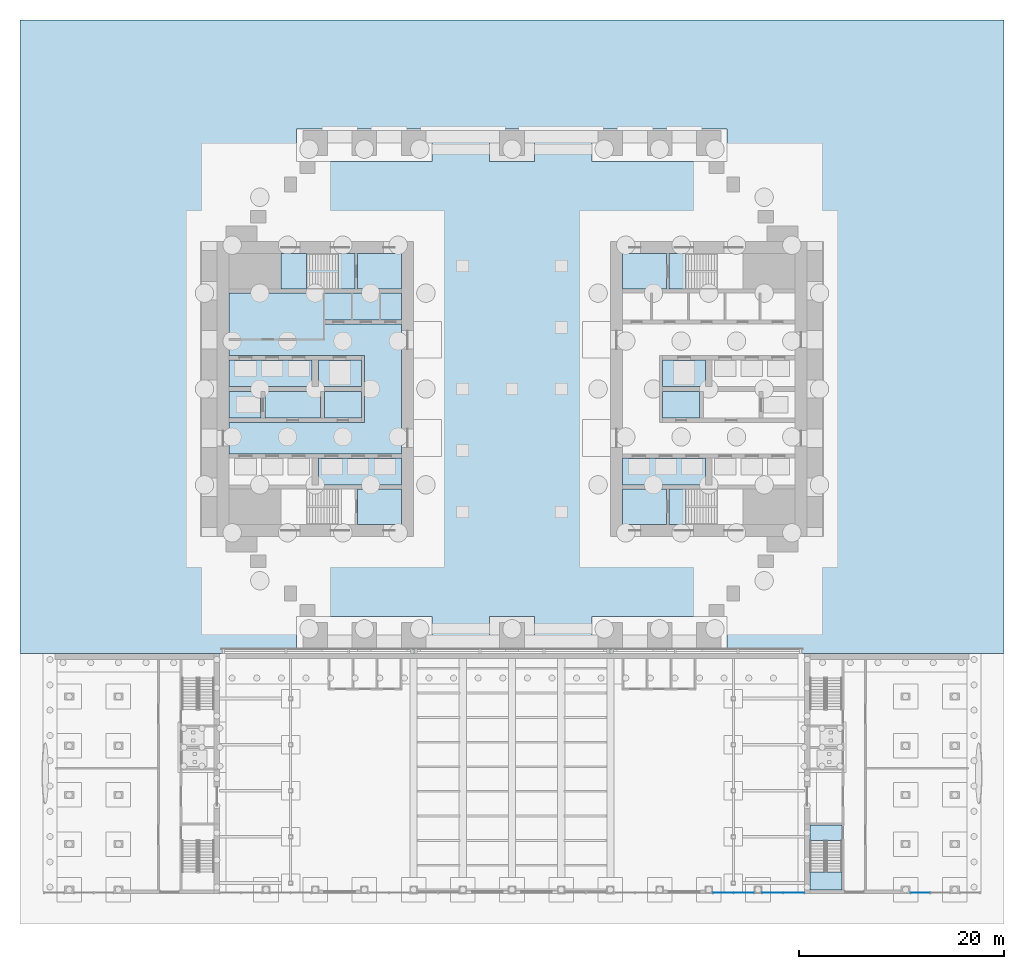
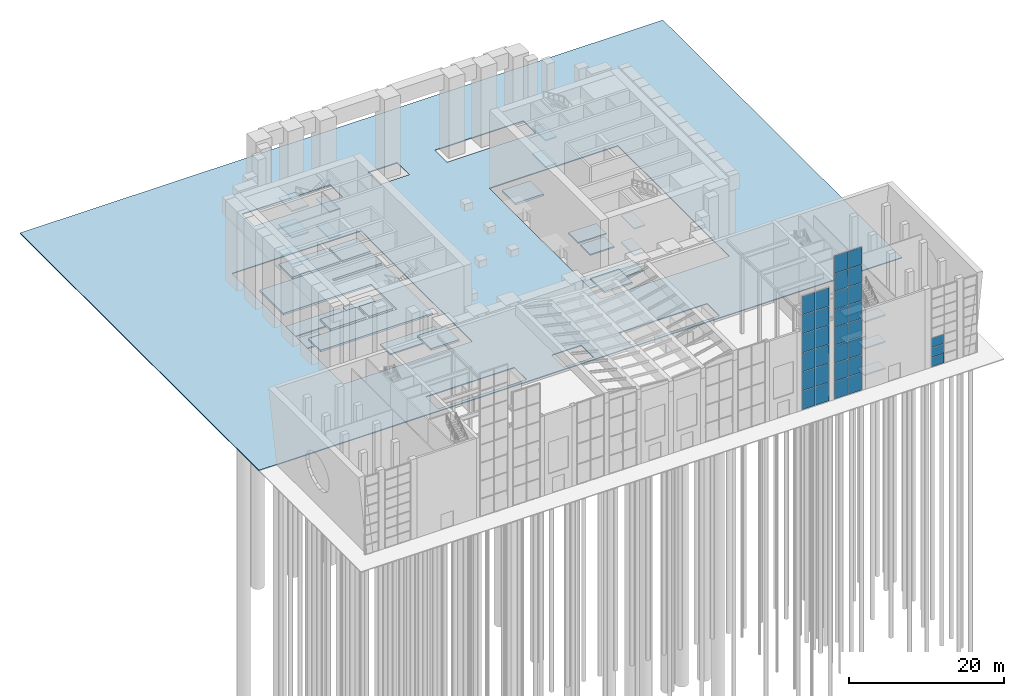
# One storey, part 42 of 58: 31 plates, 30 slabs, 7 elements without a shape of their own.
"""IFC4 building model written with IfcOpenShell, lengths in metres."""

from ifc_helpers import new_model, si_unit, direction, frame, origin, origin_2d, place, context, subcontext, project, spatial, polyline, rectangle, outline, extrude, material, layer, layer_set, type_object, element, aggregate, save


model = new_model("IFC4")

# Units and contexts
model_context = context("Model", 3, precision=1e-05, world=origin(), true_north=direction((0.0, 1.0)))
body_context = subcontext(model_context, "Body", "Model", "MODEL_VIEW")
ifc_project = project(units=[si_unit("LENGTHUNIT", "METRE"), si_unit("AREAUNIT", "SQUARE_METRE"), si_unit("VOLUMEUNIT", "CUBIC_METRE"), si_unit("PLANEANGLEUNIT", "RADIAN"), si_unit("MASSUNIT", "GRAM", prefix="KILO")], contexts=[model_context])

# Site, building, storey
site_placement = place(None, origin())
site = spatial("IfcSite", under=ifc_project, at=site_placement, CompositionType="ELEMENT")
building_placement = place(site_placement, origin())
building = spatial("IfcBuilding", under=site, at=building_placement, Name="Baori Bourse Tower", CompositionType="ELEMENT")
storey_placement = place(building_placement, origin())
storey = spatial("IfcBuildingStorey", under=building, at=storey_placement, Name="L00", CompositionType="ELEMENT", Elevation=0.0)

# Slabs
ifc_material_1 = material(Name="Concrete f'c 50 MPa", Category="concrete")
ifc_layer_1 = layer(ifc_material_1, 0.300048828125)
ifc_layer_set_1 = layer_set([ifc_layer_1], Name="Core ground slab 300")
slab_type_1 = type_object("IfcSlabType", Name="Core ground slab 300", PredefinedType="BASESLAB", material=ifc_layer_set_1)
slab_1_placement = place(storey_placement, frame((0.0, 0.0, -0.300048828125)))
element("IfcSlab", 1, at=slab_1_placement, inside=storey, type_object=slab_type_1, Name="Core ground slab W02", PredefinedType="BASESLAB", context=body_context, shape_type="SweptSolid", body=[
    extrude(outline(polyline([(13.75, 10.800048828125), (18.0, 10.800048828125), (18.0, 14.25), (13.75, 14.25), (13.75, 10.800048828125)])), origin(), (0.0, 0.0, 1.0), 0.300048828125),
])
slab_2_placement = place(storey_placement, frame((0.0, 0.0, -0.300048828125)))
element("IfcSlab", 2, at=slab_2_placement, inside=storey, type_object=slab_type_1, Name="Core ground slab W03", PredefinedType="BASESLAB", context=body_context, shape_type="SweptSolid", body=[
    extrude(outline(polyline([(18.0, 33.35009765625), (1.199951171875, 33.35009765625), (1.199951171875, 27.25), (14.39990234375, 27.25), (14.39990234375, 20.75), (1.199951171875, 20.75), (1.199951171875, 17.64990234375), (18.0, 17.64990234375), (18.0, 30.35009765625), (10.550048828125, 30.35009765625), (10.550048828125, 30.75), (18.0, 30.75), (18.0, 33.35009765625)])), origin(), (0.0, 0.0, 1.0), 0.300048828125),
])
slab_3_placement = place(storey_placement, frame((0.0, 0.0, -0.300048828125)))
element("IfcSlab", 3, at=slab_3_placement, inside=storey, type_object=slab_type_1, Name="Core ground slab W04", PredefinedType="BASESLAB", context=body_context, shape_type="SweptSolid", body=[
    extrude(outline(polyline([(10.10009765625, 23.75), (4.699951171875, 23.75), (4.699951171875, 21.14990234375), (10.10009765625, 21.14990234375), (10.10009765625, 23.75)])), origin(), (0.0, 0.0, 1.0), 0.300048828125),
])
slab_4_placement = place(storey_placement, frame((0.0, 0.0, -0.300048828125)))
element("IfcSlab", 4, at=slab_4_placement, inside=storey, type_object=slab_type_1, Name="Core ground slab W05", PredefinedType="BASESLAB", context=body_context, shape_type="SweptSolid", body=[
    extrude(outline(polyline([(14.10009765625, 23.75), (10.5, 23.75), (10.5, 21.14990234375), (14.10009765625, 21.14990234375), (14.10009765625, 23.75)])), origin(), (0.0, 0.0, 1.0), 0.300048828125),
])
slab_5_placement = place(storey_placement, frame((0.0, 0.0, -0.300048828125)))
element("IfcSlab", 5, at=slab_5_placement, inside=storey, type_object=slab_type_1, Name="Core ground slab W06", PredefinedType="BASESLAB", context=body_context, shape_type="SweptSolid", body=[
    extrude(outline(polyline([(6.25, 37.199951171875), (6.25, 33.75), (13.5, 33.75), (13.5, 37.199951171875), (6.25, 37.199951171875)])), origin(), (0.0, 0.0, 1.0), 0.300048828125),
])
slab_6_placement = place(storey_placement, frame((0.0, 0.0, -0.300048828125)))
element("IfcSlab", 6, at=slab_6_placement, inside=storey, type_object=slab_type_1, Name="Core ground slab W07", PredefinedType="BASESLAB", context=body_context, shape_type="SweptSolid", body=[
    extrude(outline(polyline([(13.75, 33.75), (18.0, 33.75), (18.0, 37.199951171875), (13.75, 37.199951171875), (13.75, 33.75)])), origin(), (0.0, 0.0, 1.0), 0.300048828125),
])
slab_7_placement = place(storey_placement, frame((0.0, 0.0, -0.300048828125)))
element("IfcSlab", 7, at=slab_7_placement, inside=storey, type_object=slab_type_1, Name="Core ground slab E01", PredefinedType="BASESLAB", context=body_context, shape_type="SweptSolid", body=[
    extrude(outline(polyline([(43.85009765625, 10.800048828125), (43.85009765625, 14.25), (39.60009765625, 14.25), (39.60009765625, 10.800048828125), (43.85009765625, 10.800048828125)])), origin(), (0.0, 0.0, 1.0), 0.300048828125),
])
slab_8_placement = place(storey_placement, frame((0.0, 0.0, -0.300048828125)))
element("IfcSlab", 8, at=slab_8_placement, inside=storey, type_object=slab_type_1, Name="Core ground slab E06", PredefinedType="BASESLAB", context=body_context, shape_type="SweptSolid", body=[
    extrude(outline(polyline([(39.60009765625, 33.75), (43.85009765625, 33.75), (43.85009765625, 37.199951171875), (39.60009765625, 37.199951171875), (39.60009765625, 33.75)])), origin(), (0.0, 0.0, 1.0), 0.300048828125),
])

# Stair, slabs
ifc_material_2 = material(Name="Concrete f'c 50 MPa", Category="concrete")
stair_type_1 = type_object("IfcStairType", Name="Core stair", PredefinedType="HALF_TURN_STAIR", material=ifc_material_2)
stair_1_placement = place(storey_placement, origin())
stair_1 = element("IfcStair", 9, at=stair_1_placement, inside=storey, type_object=stair_type_1, Name="L00 Stair WB", PredefinedType="HALF_TURN_STAIR")
ifc_material_3 = material(Name="Concrete f'c 50 MPa", Category="concrete")
slab_type_2 = type_object("IfcSlabType", Name="Core stair landing", PredefinedType="LANDING", material=ifc_material_3)
slab_9_placement = place(storey_placement, frame((0.0, 0.0, 1.89990234375)))
slab_9 = element("IfcSlab", 10, at=slab_9_placement, type_object=slab_type_2, Name="ST2 landing 1", PredefinedType="LANDING", context=body_context, shape_type="SweptSolid", body=[
    extrude(outline(polyline([(8.77001953125, 37.199951171875), (6.25, 37.199951171875), (6.25, 33.75), (8.77001953125, 33.75), (8.77001953125, 37.199951171875)])), origin(), (0.0, 0.0, 1.0), 0.2001953125),
])
slab_10_placement = place(storey_placement, frame((0.0, 0.0, 4.0)))
slab_10 = element("IfcSlab", 11, at=slab_10_placement, type_object=slab_type_2, Name="ST2 landing 2", PredefinedType="LANDING", context=body_context, shape_type="SweptSolid", body=[
    extrude(outline(polyline([(13.5, 37.199951171875), (11.85009765625, 37.199951171875), (11.85009765625, 33.75), (13.5, 33.75), (13.5, 37.199951171875)])), origin(), (0.0, 0.0, 1.0), 0.199951171875),
])
slab_11_placement = place(storey_placement, frame((0.0, 0.0, 6.10009765625)))
slab_11 = element("IfcSlab", 12, at=slab_11_placement, type_object=slab_type_2, Name="ST2 landing 3", PredefinedType="LANDING", context=body_context, shape_type="SweptSolid", body=[
    extrude(outline(polyline([(8.77001953125, 37.199951171875), (6.25, 37.199951171875), (6.25, 33.75), (8.77001953125, 33.75), (8.77001953125, 37.199951171875)])), origin(), (0.0, 0.0, 1.0), 0.199951171875),
])
slab_12_placement = place(storey_placement, frame((0.0, 0.0, 8.199951171875)))
slab_12 = element("IfcSlab", 13, at=slab_12_placement, type_object=slab_type_2, Name="ST2 landing 4", PredefinedType="LANDING", context=body_context, shape_type="SweptSolid", body=[
    extrude(outline(polyline([(13.5, 37.199951171875), (11.85009765625, 37.199951171875), (11.85009765625, 33.75), (13.5, 33.75), (13.5, 37.199951171875)])), origin(), (0.0, 0.0, 1.0), 0.199951171875),
])
slab_13_placement = place(storey_placement, frame((0.0, 0.0, 10.300048828125)))
slab_13 = element("IfcSlab", 14, at=slab_13_placement, type_object=slab_type_2, Name="ST2 landing 5", PredefinedType="LANDING", context=body_context, shape_type="SweptSolid", body=[
    extrude(outline(polyline([(8.77001953125, 37.199951171875), (6.25, 37.199951171875), (6.25, 33.75), (8.77001953125, 33.75), (8.77001953125, 37.199951171875)])), origin(), (0.0, 0.0, 1.0), 0.199951171875),
])
aggregate(stair_1, [slab_9, slab_10, slab_11, slab_12, slab_13])

stair_2_placement = place(storey_placement, origin())
stair_2 = element("IfcStair", 15, at=stair_2_placement, inside=storey, type_object=stair_type_1, Name="L00 Stair EA", PredefinedType="HALF_TURN_STAIR")
slab_14_placement = place(storey_placement, frame((0.0, 0.0, 4.0)))
slab_14 = element("IfcSlab", 16, at=slab_14_placement, type_object=slab_type_2, Name="ST3 landing 2", PredefinedType="LANDING", context=body_context, shape_type="SweptSolid", body=[
    extrude(outline(polyline([(44.10009765625, 10.800048828125), (45.75, 10.800048828125), (45.75, 14.25), (44.10009765625, 14.25), (44.10009765625, 10.800048828125)])), origin(), (0.0, 0.0, 1.0), 0.199951171875),
])
slab_15_placement = place(storey_placement, frame((0.0, 0.0, 8.199951171875)))
slab_15 = element("IfcSlab", 17, at=slab_15_placement, type_object=slab_type_2, Name="ST3 landing 4", PredefinedType="LANDING", context=body_context, shape_type="SweptSolid", body=[
    extrude(outline(polyline([(44.10009765625, 10.800048828125), (45.75, 10.800048828125), (45.75, 14.25), (44.10009765625, 14.25), (44.10009765625, 10.800048828125)])), origin(), (0.0, 0.0, 1.0), 0.199951171875),
])
aggregate(stair_2, [slab_14, slab_15])

stair_3_placement = place(storey_placement, origin())
stair_3 = element("IfcStair", 18, at=stair_3_placement, inside=storey, type_object=stair_type_1, Name="L00 Stair EB", PredefinedType="HALF_TURN_STAIR")
slab_16_placement = place(storey_placement, frame((0.0, 0.0, 4.0)))
slab_16 = element("IfcSlab", 19, at=slab_16_placement, type_object=slab_type_2, Name="ST4 landing 2", PredefinedType="LANDING", context=body_context, shape_type="SweptSolid", body=[
    extrude(outline(polyline([(44.10009765625, 33.75), (45.75, 33.75), (45.75, 37.199951171875), (44.10009765625, 37.199951171875), (44.10009765625, 33.75)])), origin(), (0.0, 0.0, 1.0), 0.199951171875),
])
slab_17_placement = place(storey_placement, frame((0.0, 0.0, 8.199951171875)))
slab_17 = element("IfcSlab", 20, at=slab_17_placement, type_object=slab_type_2, Name="ST4 landing 4", PredefinedType="LANDING", context=body_context, shape_type="SweptSolid", body=[
    extrude(outline(polyline([(44.10009765625, 33.75), (45.75, 33.75), (45.75, 37.199951171875), (44.10009765625, 37.199951171875), (44.10009765625, 33.75)])), origin(), (0.0, 0.0, 1.0), 0.199951171875),
])
aggregate(stair_3, [slab_16, slab_17])

# Slabs
ifc_material_4 = material(Name="Concrete f'c 40 MPa", Category="concrete")
ifc_layer_2 = layer(ifc_material_4, 0.199951171875)
ifc_layer_set_2 = layer_set([ifc_layer_2], Name="Lift pit slab 200")
slab_type_3 = type_object("IfcSlabType", Name="Lift pit slab 200", PredefinedType="BASESLAB", material=ifc_layer_set_2)
slab_18_placement = place(storey_placement, frame((0.0, 0.0, -2.0)))
element("IfcSlab", 21, at=slab_18_placement, inside=storey, type_object=slab_type_3, Name="Lift pit floor W02", PredefinedType="BASESLAB", context=body_context, shape_type="SweptSolid", body=[
    extrude(outline(polyline([(18.0, 14.64990234375), (18.0, 17.25), (9.89990234375, 17.25), (9.89990234375, 14.64990234375), (18.0, 14.64990234375)])), origin(), (0.0, 0.0, 1.0), 0.199951171875),
])
slab_19_placement = place(storey_placement, frame((0.0, 0.0, -2.0)))
element("IfcSlab", 22, at=slab_19_placement, inside=storey, type_object=slab_type_3, Name="Lift pit floor W03", PredefinedType="BASESLAB", context=body_context, shape_type="SweptSolid", body=[
    extrude(outline(polyline([(4.300048828125, 21.14990234375), (4.300048828125, 23.75), (1.199951171875, 23.75), (1.199951171875, 21.14990234375), (4.300048828125, 21.14990234375)])), origin(), (0.0, 0.0, 1.0), 0.199951171875),
])
slab_20_placement = place(storey_placement, frame((0.0, 0.0, -2.0)))
element("IfcSlab", 23, at=slab_20_placement, inside=storey, type_object=slab_type_3, Name="Lift pit floor W04", PredefinedType="BASESLAB", context=body_context, shape_type="SweptSolid", body=[
    extrude(outline(polyline([(9.300048828125, 24.25), (9.300048828125, 26.85009765625), (1.199951171875, 26.85009765625), (1.199951171875, 24.25), (9.300048828125, 24.25)])), origin(), (0.0, 0.0, 1.0), 0.199951171875),
])
slab_21_placement = place(storey_placement, frame((0.0, 0.0, -2.0)))
element("IfcSlab", 24, at=slab_21_placement, inside=storey, type_object=slab_type_3, Name="Lift pit floor W05", PredefinedType="BASESLAB", context=body_context, shape_type="SweptSolid", body=[
    extrude(outline(polyline([(14.10009765625, 24.25), (14.10009765625, 26.85009765625), (9.89990234375, 26.85009765625), (9.89990234375, 24.25), (14.10009765625, 24.25)])), origin(), (0.0, 0.0, 1.0), 0.199951171875),
])
slab_22_placement = place(storey_placement, frame((0.0, 0.0, -2.0)))
element("IfcSlab", 25, at=slab_22_placement, inside=storey, type_object=slab_type_3, Name="Lift pit floor E01", PredefinedType="BASESLAB", context=body_context, shape_type="SweptSolid", body=[
    extrude(outline(polyline([(39.60009765625, 14.64990234375), (47.699951171875, 14.64990234375), (47.699951171875, 17.25), (39.60009765625, 17.25), (39.60009765625, 14.64990234375)])), origin(), (0.0, 0.0, 1.0), 0.199951171875),
])
slab_23_placement = place(storey_placement, frame((0.0, 0.0, -2.0)))
element("IfcSlab", 26, at=slab_23_placement, inside=storey, type_object=slab_type_3, Name="Lift pit floor E03", PredefinedType="BASESLAB", context=body_context, shape_type="SweptSolid", body=[
    extrude(outline(polyline([(43.5, 21.14990234375), (47.10009765625, 21.14990234375), (47.10009765625, 23.75), (43.5, 23.75), (43.5, 21.14990234375)])), origin(), (0.0, 0.0, 1.0), 0.199951171875),
])
slab_24_placement = place(storey_placement, frame((0.0, 0.0, -2.0)))
element("IfcSlab", 27, at=slab_24_placement, inside=storey, type_object=slab_type_3, Name="Lift pit floor E05", PredefinedType="BASESLAB", context=body_context, shape_type="SweptSolid", body=[
    extrude(outline(polyline([(43.5, 24.25), (47.699951171875, 24.25), (47.699951171875, 26.85009765625), (43.5, 26.85009765625), (43.5, 24.25)])), origin(), (0.0, 0.0, 1.0), 0.199951171875),
])
ifc_material_5 = material(Name="Concrete f'c 40 MPa", Category="concrete")
ifc_layer_3 = layer(ifc_material_5, 0.14990234375)
ifc_layer_set_3 = layer_set([ifc_layer_3], Name="Plaza paving 150")
slab_type_4 = type_object("IfcSlabType", Name="Plaza paving 150", PredefinedType="BASESLAB", material=ifc_layer_set_3)
slab_25_placement = place(storey_placement, frame((0.0, 0.0, -0.14990234375)))
element("IfcSlab", 28, at=slab_25_placement, inside=storey, type_object=slab_type_4, Name="Plaza paving", PredefinedType="BASESLAB", context=body_context, shape_type="SweptSolid", body=[
    extrude(outline(polyline([(76.800048828125, -1.800048828125), (76.800048828125, 60.0), (-19.199951171875, 60.0), (-19.199951171875, -1.800048828125), (76.800048828125, -1.800048828125)]), holes=[polyline([(57.60009765625, 9.60009765625), (57.60009765625, 38.39990234375), (38.39990234375, 38.39990234375), (38.39990234375, 9.60009765625), (57.60009765625, 9.60009765625)]), polyline([(0.0, 9.60009765625), (19.199951171875, 9.60009765625), (19.199951171875, 38.39990234375), (0.0, 38.39990234375), (0.0, 9.60009765625)]), polyline([(7.800048828125, 1.800048828125), (7.800048828125, -1.35009765625), (21.0, -1.35009765625), (21.0, 1.800048828125), (7.800048828125, 1.800048828125)]), polyline([(31.0, 1.800048828125), (26.60009765625, 1.800048828125), (26.60009765625, -1.35009765625), (31.0, -1.35009765625), (31.0, 1.800048828125)]), polyline([(49.800048828125, -1.35009765625), (49.800048828125, 1.800048828125), (36.60009765625, 1.800048828125), (36.60009765625, -1.35009765625), (49.800048828125, -1.35009765625)]), polyline([(7.800048828125, 46.199951171875), (21.0, 46.199951171875), (21.0, 49.35009765625), (7.800048828125, 49.35009765625), (7.800048828125, 46.199951171875)]), polyline([(26.60009765625, 49.35009765625), (26.60009765625, 46.199951171875), (31.0, 46.199951171875), (31.0, 49.35009765625), (26.60009765625, 49.35009765625)]), polyline([(49.800048828125, 49.35009765625), (36.60009765625, 49.35009765625), (36.60009765625, 46.199951171875), (49.800048828125, 46.199951171875), (49.800048828125, 49.35009765625)])]), origin(), (0.0, 0.0, 1.0), 0.14990234375),
])

# Curtain wall, plates
ifc_material_6 = material(Name="Pale anodised aluminium", Category="aluminium")
ifc_layer_4 = layer(ifc_material_6, 0.10009765625)
ifc_layer_set_4 = layer_set([ifc_layer_4], Name="Wing curtain wall")
curtain_wall_type = type_object("IfcCurtainWallType", Name="Wing curtain wall", PredefinedType="NOTDEFINED", material=ifc_layer_set_4)
curtain_wall_1_placement = place(storey_placement, origin())
curtain_wall_1 = element("IfcCurtainWall", 29, at=curtain_wall_1_placement, inside=storey, type_object=curtain_wall_type, Name="wing/L00/Ecw/002", PredefinedType="NOTDEFINED")
ifc_material_7 = material(Name="Clear glass", Category="glass")
ifc_layer_5 = layer(ifc_material_7, 0.028076171875)
ifc_layer_set_5 = layer_set([ifc_layer_5], Name="Wing glass panel 28")
plate_type = type_object("IfcPlateType", Name="Wing glass panel 28", PredefinedType="CURTAIN_PANEL", material=ifc_layer_set_5)
plate_1_placement = place(storey_placement, frame((68.639892578125, -25.14990234375, 0.06005859375), z_axis=(0.0, 0.0, 1.0), x_axis=(1.0, 0.0, 0.0)))
plate_1 = element("IfcPlate", 30, at=plate_1_placement, type_object=plate_type, Name="X12 panel 1.1", PredefinedType="CURTAIN_PANEL", context=body_context, shape_type="SweptSolid", body=[
    extrude(rectangle(XDim=1.860107421875, YDim=0.028076171875, at=origin_2d()), origin(), (0.0, 0.0, 1.0), 1.447509765625),
])
plate_2_placement = place(storey_placement, frame((68.639892578125, -25.14990234375, 1.5673828125), z_axis=(0.0, 0.0, 1.0), x_axis=(1.0, 0.0, 0.0)))
plate_2 = element("IfcPlate", 31, at=plate_2_placement, type_object=plate_type, Name="X12 panel 1.2", PredefinedType="CURTAIN_PANEL", context=body_context, shape_type="SweptSolid", body=[
    extrude(rectangle(XDim=1.860107421875, YDim=0.028076171875, at=origin_2d()), origin(), (0.0, 0.0, 1.0), 1.4775390625),
])
plate_3_placement = place(storey_placement, frame((68.639892578125, -25.14990234375, 3.10498046875), z_axis=(0.0, 0.0, 1.0), x_axis=(1.0, 0.0, 0.0)))
plate_3 = element("IfcPlate", 32, at=plate_3_placement, type_object=plate_type, Name="X12 panel 1.3", PredefinedType="CURTAIN_PANEL", context=body_context, shape_type="SweptSolid", body=[
    extrude(rectangle(XDim=1.860107421875, YDim=0.028076171875, at=origin_2d()), origin(), (0.0, 0.0, 1.0), 1.4775390625),
])
aggregate(curtain_wall_1, [plate_1, plate_2, plate_3])

curtain_wall_2_placement = place(storey_placement, origin())
curtain_wall_2 = element("IfcCurtainWall", 33, at=curtain_wall_2_placement, inside=storey, type_object=curtain_wall_type, Name="wing/L00/hallcw/007", PredefinedType="NOTDEFINED")
plate_4_placement = place(storey_placement, frame((49.389892578125, -25.14990234375, 0.06005859375), z_axis=(0.0, 0.0, 1.0), x_axis=(1.0, 0.0, 0.0)))
plate_4 = element("IfcPlate", 34, at=plate_4_placement, type_object=plate_type, Name="X12 panel 1.1", PredefinedType="CURTAIN_PANEL", context=body_context, shape_type="SweptSolid", body=[
    extrude(rectangle(XDim=1.9599609375, YDim=0.028076171875, at=origin_2d()), origin(), (0.0, 0.0, 1.0), 2.909912109375),
])
plate_5_placement = place(storey_placement, frame((49.389892578125, -25.14990234375, 3.030029296875), z_axis=(0.0, 0.0, 1.0), x_axis=(1.0, 0.0, 0.0)))
plate_5 = element("IfcPlate", 35, at=plate_5_placement, type_object=plate_type, Name="X12 panel 1.2", PredefinedType="CURTAIN_PANEL", context=body_context, shape_type="SweptSolid", body=[
    extrude(rectangle(XDim=1.9599609375, YDim=0.028076171875, at=origin_2d()), origin(), (0.0, 0.0, 1.0), 2.93994140625),
])
plate_6_placement = place(storey_placement, frame((49.389892578125, -25.14990234375, 6.030029296875), z_axis=(0.0, 0.0, 1.0), x_axis=(1.0, 0.0, 0.0)))
plate_6 = element("IfcPlate", 36, at=plate_6_placement, type_object=plate_type, Name="X12 panel 1.3", PredefinedType="CURTAIN_PANEL", context=body_context, shape_type="SweptSolid", body=[
    extrude(rectangle(XDim=1.9599609375, YDim=0.028076171875, at=origin_2d()), origin(), (0.0, 0.0, 1.0), 2.93994140625),
])
plate_7_placement = place(storey_placement, frame((49.389892578125, -25.14990234375, 9.030029296875), z_axis=(0.0, 0.0, 1.0), x_axis=(1.0, 0.0, 0.0)))
plate_7 = element("IfcPlate", 37, at=plate_7_placement, type_object=plate_type, Name="X12 panel 1.4", PredefinedType="CURTAIN_PANEL", context=body_context, shape_type="SweptSolid", body=[
    extrude(rectangle(XDim=1.9599609375, YDim=0.028076171875, at=origin_2d()), origin(), (0.0, 0.0, 1.0), 2.93994140625),
])
plate_8_placement = place(storey_placement, frame((49.389892578125, -25.14990234375, 12.030029296875), z_axis=(0.0, 0.0, 1.0), x_axis=(1.0, 0.0, 0.0)))
plate_8 = element("IfcPlate", 38, at=plate_8_placement, type_object=plate_type, Name="X12 panel 1.5", PredefinedType="CURTAIN_PANEL", context=body_context, shape_type="SweptSolid", body=[
    extrude(rectangle(XDim=1.9599609375, YDim=0.028076171875, at=origin_2d()), origin(), (0.0, 0.0, 1.0), 2.93994140625),
])
plate_9_placement = place(storey_placement, frame((49.389892578125, -25.14990234375, 15.0302734375), z_axis=(0.0, 0.0, 1.0), x_axis=(1.0, 0.0, 0.0)))
plate_9 = element("IfcPlate", 39, at=plate_9_placement, type_object=plate_type, Name="X12 panel 1.6", PredefinedType="CURTAIN_PANEL", context=body_context, shape_type="SweptSolid", body=[
    extrude(rectangle(XDim=1.9599609375, YDim=0.028076171875, at=origin_2d()), origin(), (0.0, 0.0, 1.0), 2.909912109375),
])
plate_10_placement = place(storey_placement, frame((51.409912109375, -25.14990234375, 0.06005859375), z_axis=(0.0, 0.0, 1.0), x_axis=(1.0, 0.0, 0.0)))
plate_10 = element("IfcPlate", 40, at=plate_10_placement, type_object=plate_type, Name="X12 panel 2.1", PredefinedType="CURTAIN_PANEL", context=body_context, shape_type="SweptSolid", body=[
    extrude(rectangle(XDim=1.9599609375, YDim=0.028076171875, at=origin_2d()), origin(), (0.0, 0.0, 1.0), 2.909912109375),
])
plate_11_placement = place(storey_placement, frame((51.409912109375, -25.14990234375, 3.030029296875), z_axis=(0.0, 0.0, 1.0), x_axis=(1.0, 0.0, 0.0)))
plate_11 = element("IfcPlate", 41, at=plate_11_placement, type_object=plate_type, Name="X12 panel 2.2", PredefinedType="CURTAIN_PANEL", context=body_context, shape_type="SweptSolid", body=[
    extrude(rectangle(XDim=1.9599609375, YDim=0.028076171875, at=origin_2d()), origin(), (0.0, 0.0, 1.0), 2.93994140625),
])
plate_12_placement = place(storey_placement, frame((51.409912109375, -25.14990234375, 6.030029296875), z_axis=(0.0, 0.0, 1.0), x_axis=(1.0, 0.0, 0.0)))
plate_12 = element("IfcPlate", 42, at=plate_12_placement, type_object=plate_type, Name="X12 panel 2.3", PredefinedType="CURTAIN_PANEL", context=body_context, shape_type="SweptSolid", body=[
    extrude(rectangle(XDim=1.9599609375, YDim=0.028076171875, at=origin_2d()), origin(), (0.0, 0.0, 1.0), 2.93994140625),
])
plate_13_placement = place(storey_placement, frame((51.409912109375, -25.14990234375, 9.030029296875), z_axis=(0.0, 0.0, 1.0), x_axis=(1.0, 0.0, 0.0)))
plate_13 = element("IfcPlate", 43, at=plate_13_placement, type_object=plate_type, Name="X12 panel 2.4", PredefinedType="CURTAIN_PANEL", context=body_context, shape_type="SweptSolid", body=[
    extrude(rectangle(XDim=1.9599609375, YDim=0.028076171875, at=origin_2d()), origin(), (0.0, 0.0, 1.0), 2.93994140625),
])
plate_14_placement = place(storey_placement, frame((51.409912109375, -25.14990234375, 12.030029296875), z_axis=(0.0, 0.0, 1.0), x_axis=(1.0, 0.0, 0.0)))
plate_14 = element("IfcPlate", 44, at=plate_14_placement, type_object=plate_type, Name="X12 panel 2.5", PredefinedType="CURTAIN_PANEL", context=body_context, shape_type="SweptSolid", body=[
    extrude(rectangle(XDim=1.9599609375, YDim=0.028076171875, at=origin_2d()), origin(), (0.0, 0.0, 1.0), 2.93994140625),
])
plate_15_placement = place(storey_placement, frame((51.409912109375, -25.14990234375, 15.0302734375), z_axis=(0.0, 0.0, 1.0), x_axis=(1.0, 0.0, 0.0)))
plate_15 = element("IfcPlate", 45, at=plate_15_placement, type_object=plate_type, Name="X12 panel 2.6", PredefinedType="CURTAIN_PANEL", context=body_context, shape_type="SweptSolid", body=[
    extrude(rectangle(XDim=1.9599609375, YDim=0.028076171875, at=origin_2d()), origin(), (0.0, 0.0, 1.0), 2.909912109375),
])
aggregate(curtain_wall_2, [plate_4, plate_5, plate_6, plate_7, plate_8, plate_9, plate_10, plate_11, plate_12, plate_13, plate_14, plate_15])

curtain_wall_3_placement = place(storey_placement, origin())
curtain_wall_3 = element("IfcCurtainWall", 46, at=curtain_wall_3_placement, inside=storey, type_object=curtain_wall_type, Name="wing/L00/hallcw/008", PredefinedType="NOTDEFINED")
plate_16_placement = place(storey_placement, frame((54.215087890625, -25.14990234375, 0.06005859375), z_axis=(0.0, 0.0, 1.0), x_axis=(1.0, 0.0, 0.0)))
plate_16 = element("IfcPlate", 47, at=plate_16_placement, type_object=plate_type, Name="X12 panel 1.1", PredefinedType="CURTAIN_PANEL", context=body_context, shape_type="SweptSolid", body=[
    extrude(rectangle(XDim=2.010009765625, YDim=0.028076171875, at=origin_2d()), origin(), (0.0, 0.0, 1.0), 2.74755859375),
])
plate_17_placement = place(storey_placement, frame((54.215087890625, -25.14990234375, 2.86767578125), z_axis=(0.0, 0.0, 1.0), x_axis=(1.0, 0.0, 0.0)))
plate_17 = element("IfcPlate", 48, at=plate_17_placement, type_object=plate_type, Name="X12 panel 1.2", PredefinedType="CURTAIN_PANEL", context=body_context, shape_type="SweptSolid", body=[
    extrude(rectangle(XDim=2.010009765625, YDim=0.028076171875, at=origin_2d()), origin(), (0.0, 0.0, 1.0), 2.777587890625),
])
plate_18_placement = place(storey_placement, frame((54.215087890625, -25.14990234375, 5.705078125), z_axis=(0.0, 0.0, 1.0), x_axis=(1.0, 0.0, 0.0)))
plate_18 = element("IfcPlate", 49, at=plate_18_placement, type_object=plate_type, Name="X12 panel 1.3", PredefinedType="CURTAIN_PANEL", context=body_context, shape_type="SweptSolid", body=[
    extrude(rectangle(XDim=2.010009765625, YDim=0.028076171875, at=origin_2d()), origin(), (0.0, 0.0, 1.0), 2.777587890625),
])
plate_19_placement = place(storey_placement, frame((54.215087890625, -25.14990234375, 8.54248046875), z_axis=(0.0, 0.0, 1.0), x_axis=(1.0, 0.0, 0.0)))
plate_19 = element("IfcPlate", 50, at=plate_19_placement, type_object=plate_type, Name="X12 panel 1.4", PredefinedType="CURTAIN_PANEL", context=body_context, shape_type="SweptSolid", body=[
    extrude(rectangle(XDim=2.010009765625, YDim=0.028076171875, at=origin_2d()), origin(), (0.0, 0.0, 1.0), 2.777587890625),
])
plate_20_placement = place(storey_placement, frame((54.215087890625, -25.14990234375, 11.3798828125), z_axis=(0.0, 0.0, 1.0), x_axis=(1.0, 0.0, 0.0)))
plate_20 = element("IfcPlate", 51, at=plate_20_placement, type_object=plate_type, Name="X12 panel 1.5", PredefinedType="CURTAIN_PANEL", context=body_context, shape_type="SweptSolid", body=[
    extrude(rectangle(XDim=2.010009765625, YDim=0.028076171875, at=origin_2d()), origin(), (0.0, 0.0, 1.0), 2.777587890625),
])
plate_21_placement = place(storey_placement, frame((54.215087890625, -25.14990234375, 14.21728515625), z_axis=(0.0, 0.0, 1.0), x_axis=(1.0, 0.0, 0.0)))
plate_21 = element("IfcPlate", 52, at=plate_21_placement, type_object=plate_type, Name="X12 panel 1.6", PredefinedType="CURTAIN_PANEL", context=body_context, shape_type="SweptSolid", body=[
    extrude(rectangle(XDim=2.010009765625, YDim=0.028076171875, at=origin_2d()), origin(), (0.0, 0.0, 1.0), 2.777587890625),
])
plate_22_placement = place(storey_placement, frame((54.215087890625, -25.14990234375, 17.05517578125), z_axis=(0.0, 0.0, 1.0), x_axis=(1.0, 0.0, 0.0)))
plate_22 = element("IfcPlate", 53, at=plate_22_placement, type_object=plate_type, Name="X12 panel 1.7", PredefinedType="CURTAIN_PANEL", context=body_context, shape_type="SweptSolid", body=[
    extrude(rectangle(XDim=2.010009765625, YDim=0.028076171875, at=origin_2d()), origin(), (0.0, 0.0, 1.0), 2.777587890625),
])
plate_23_placement = place(storey_placement, frame((54.215087890625, -25.14990234375, 19.892578125), z_axis=(0.0, 0.0, 1.0), x_axis=(1.0, 0.0, 0.0)))
plate_23 = element("IfcPlate", 54, at=plate_23_placement, type_object=plate_type, Name="X12 panel 1.8", PredefinedType="CURTAIN_PANEL", context=body_context, shape_type="SweptSolid", body=[
    extrude(rectangle(XDim=2.010009765625, YDim=0.028076171875, at=origin_2d()), origin(), (0.0, 0.0, 1.0), 2.74755859375),
])
plate_24_placement = place(storey_placement, frame((56.284912109375, -25.14990234375, 0.06005859375), z_axis=(0.0, 0.0, 1.0), x_axis=(1.0, 0.0, 0.0)))
plate_24 = element("IfcPlate", 55, at=plate_24_placement, type_object=plate_type, Name="X12 panel 2.1", PredefinedType="CURTAIN_PANEL", context=body_context, shape_type="SweptSolid", body=[
    extrude(rectangle(XDim=2.010009765625, YDim=0.028076171875, at=origin_2d()), origin(), (0.0, 0.0, 1.0), 2.74755859375),
])
plate_25_placement = place(storey_placement, frame((56.284912109375, -25.14990234375, 2.86767578125), z_axis=(0.0, 0.0, 1.0), x_axis=(1.0, 0.0, 0.0)))
plate_25 = element("IfcPlate", 56, at=plate_25_placement, type_object=plate_type, Name="X12 panel 2.2", PredefinedType="CURTAIN_PANEL", context=body_context, shape_type="SweptSolid", body=[
    extrude(rectangle(XDim=2.010009765625, YDim=0.028076171875, at=origin_2d()), origin(), (0.0, 0.0, 1.0), 2.777587890625),
])
plate_26_placement = place(storey_placement, frame((56.284912109375, -25.14990234375, 5.705078125), z_axis=(0.0, 0.0, 1.0), x_axis=(1.0, 0.0, 0.0)))
plate_26 = element("IfcPlate", 57, at=plate_26_placement, type_object=plate_type, Name="X12 panel 2.3", PredefinedType="CURTAIN_PANEL", context=body_context, shape_type="SweptSolid", body=[
    extrude(rectangle(XDim=2.010009765625, YDim=0.028076171875, at=origin_2d()), origin(), (0.0, 0.0, 1.0), 2.777587890625),
])
plate_27_placement = place(storey_placement, frame((56.284912109375, -25.14990234375, 8.54248046875), z_axis=(0.0, 0.0, 1.0), x_axis=(1.0, 0.0, 0.0)))
plate_27 = element("IfcPlate", 58, at=plate_27_placement, type_object=plate_type, Name="X12 panel 2.4", PredefinedType="CURTAIN_PANEL", context=body_context, shape_type="SweptSolid", body=[
    extrude(rectangle(XDim=2.010009765625, YDim=0.028076171875, at=origin_2d()), origin(), (0.0, 0.0, 1.0), 2.777587890625),
])
plate_28_placement = place(storey_placement, frame((56.284912109375, -25.14990234375, 11.3798828125), z_axis=(0.0, 0.0, 1.0), x_axis=(1.0, 0.0, 0.0)))
plate_28 = element("IfcPlate", 59, at=plate_28_placement, type_object=plate_type, Name="X12 panel 2.5", PredefinedType="CURTAIN_PANEL", context=body_context, shape_type="SweptSolid", body=[
    extrude(rectangle(XDim=2.010009765625, YDim=0.028076171875, at=origin_2d()), origin(), (0.0, 0.0, 1.0), 2.777587890625),
])
plate_29_placement = place(storey_placement, frame((56.284912109375, -25.14990234375, 14.21728515625), z_axis=(0.0, 0.0, 1.0), x_axis=(1.0, 0.0, 0.0)))
plate_29 = element("IfcPlate", 60, at=plate_29_placement, type_object=plate_type, Name="X12 panel 2.6", PredefinedType="CURTAIN_PANEL", context=body_context, shape_type="SweptSolid", body=[
    extrude(rectangle(XDim=2.010009765625, YDim=0.028076171875, at=origin_2d()), origin(), (0.0, 0.0, 1.0), 2.777587890625),
])
plate_30_placement = place(storey_placement, frame((56.284912109375, -25.14990234375, 17.05517578125), z_axis=(0.0, 0.0, 1.0), x_axis=(1.0, 0.0, 0.0)))
plate_30 = element("IfcPlate", 61, at=plate_30_placement, type_object=plate_type, Name="X12 panel 2.7", PredefinedType="CURTAIN_PANEL", context=body_context, shape_type="SweptSolid", body=[
    extrude(rectangle(XDim=2.010009765625, YDim=0.028076171875, at=origin_2d()), origin(), (0.0, 0.0, 1.0), 2.777587890625),
])
plate_31_placement = place(storey_placement, frame((56.284912109375, -25.14990234375, 19.892578125), z_axis=(0.0, 0.0, 1.0), x_axis=(1.0, 0.0, 0.0)))
plate_31 = element("IfcPlate", 62, at=plate_31_placement, type_object=plate_type, Name="X12 panel 2.8", PredefinedType="CURTAIN_PANEL", context=body_context, shape_type="SweptSolid", body=[
    extrude(rectangle(XDim=2.010009765625, YDim=0.028076171875, at=origin_2d()), origin(), (0.0, 0.0, 1.0), 2.74755859375),
])
aggregate(curtain_wall_3, [plate_16, plate_17, plate_18, plate_19, plate_20, plate_21, plate_22, plate_23, plate_24, plate_25, plate_26, plate_27, plate_28, plate_29, plate_30, plate_31])

# Stair, slabs
ifc_material_8 = material(Name="Concrete f'c 40 MPa", Category="concrete")
stair_type_2 = type_object("IfcStairType", Name="Wing exit stair 1500", PredefinedType="HALF_TURN_STAIR", material=ifc_material_8)
stair_4_placement = place(storey_placement, origin())
stair_4 = element("IfcStair", 63, at=stair_4_placement, inside=storey, type_object=stair_type_2, Name="L00 Exit stair EB", PredefinedType="HALF_TURN_STAIR")
ifc_material_9 = material(Name="Concrete f'c 40 MPa", Category="concrete")
ifc_layer_6 = layer(ifc_material_9, 0.199951171875)
ifc_layer_set_6 = layer_set([ifc_layer_6], Name="Wing stair landing 200")
slab_type_5 = type_object("IfcSlabType", Name="Wing stair landing 200", PredefinedType="LANDING", material=ifc_layer_set_6)
slab_26_placement = place(storey_placement, frame((0.0, 0.0, 1.89990234375)))
slab_26 = element("IfcSlab", 64, at=slab_26_placement, type_object=slab_type_5, Name="E-STB landing 1", PredefinedType="LANDING", context=body_context, shape_type="SweptSolid", body=[
    extrude(outline(polyline([(57.85009765625, -23.1201171875), (57.85009765625, -24.89990234375), (61.0, -24.89990234375), (61.0, -23.1201171875), (57.85009765625, -23.1201171875)])), origin(), (0.0, 0.0, 1.0), 0.2001953125),
])
slab_27_placement = place(storey_placement, frame((0.0, 0.0, 4.0)))
slab_27 = element("IfcSlab", 65, at=slab_27_placement, type_object=slab_type_5, Name="E-STB landing 2", PredefinedType="LANDING", context=body_context, shape_type="SweptSolid", body=[
    extrude(outline(polyline([(57.85009765625, -18.5400390625), (57.85009765625, -20.0400390625), (61.0, -20.0400390625), (61.0, -18.5400390625), (57.85009765625, -18.5400390625)])), origin(), (0.0, 0.0, 1.0), 0.199951171875),
])
slab_28_placement = place(storey_placement, frame((0.0, 0.0, 6.10009765625)))
slab_28 = element("IfcSlab", 66, at=slab_28_placement, type_object=slab_type_5, Name="E-STB landing 3", PredefinedType="LANDING", context=body_context, shape_type="SweptSolid", body=[
    extrude(outline(polyline([(57.85009765625, -23.1201171875), (57.85009765625, -24.89990234375), (61.0, -24.89990234375), (61.0, -23.1201171875), (57.85009765625, -23.1201171875)])), origin(), (0.0, 0.0, 1.0), 0.199951171875),
])
slab_29_placement = place(storey_placement, frame((0.0, 0.0, 8.199951171875)))
slab_29 = element("IfcSlab", 67, at=slab_29_placement, type_object=slab_type_5, Name="E-STB landing 4", PredefinedType="LANDING", context=body_context, shape_type="SweptSolid", body=[
    extrude(outline(polyline([(57.85009765625, -18.5400390625), (57.85009765625, -20.0400390625), (61.0, -20.0400390625), (61.0, -18.5400390625), (57.85009765625, -18.5400390625)])), origin(), (0.0, 0.0, 1.0), 0.199951171875),
])
slab_30_placement = place(storey_placement, frame((0.0, 0.0, 10.300048828125)))
slab_30 = element("IfcSlab", 68, at=slab_30_placement, type_object=slab_type_5, Name="E-STB landing 5", PredefinedType="LANDING", context=body_context, shape_type="SweptSolid", body=[
    extrude(outline(polyline([(57.85009765625, -23.1201171875), (57.85009765625, -24.89990234375), (61.0, -24.89990234375), (61.0, -23.1201171875), (57.85009765625, -23.1201171875)])), origin(), (0.0, 0.0, 1.0), 0.199951171875),
])
aggregate(stair_4, [slab_26, slab_27, slab_28, slab_29, slab_30])

save(model, "model.ifc")
